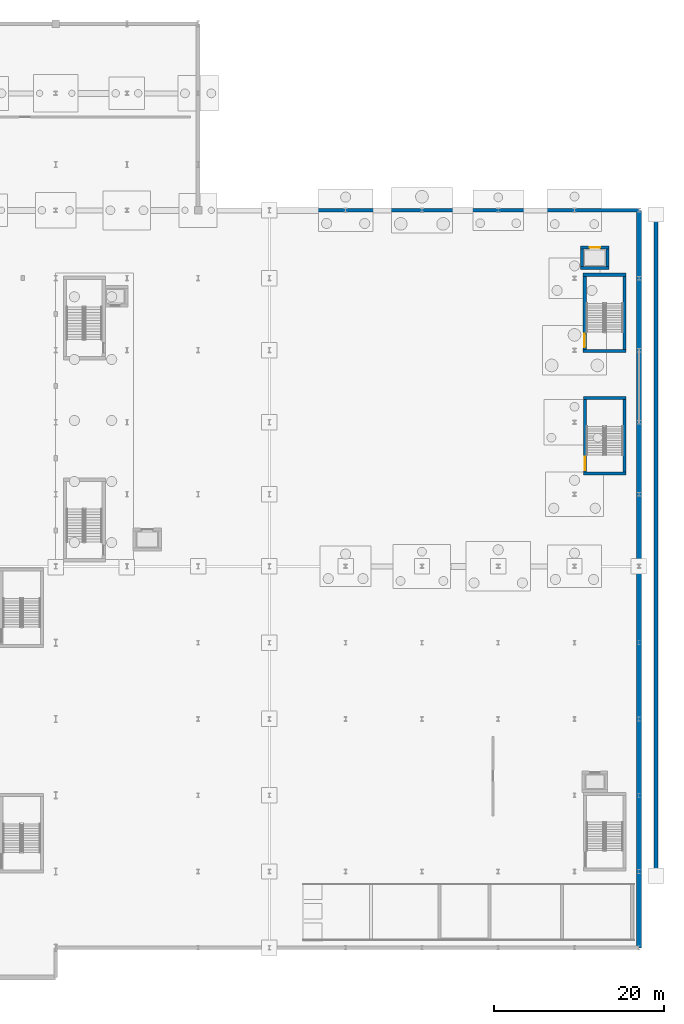
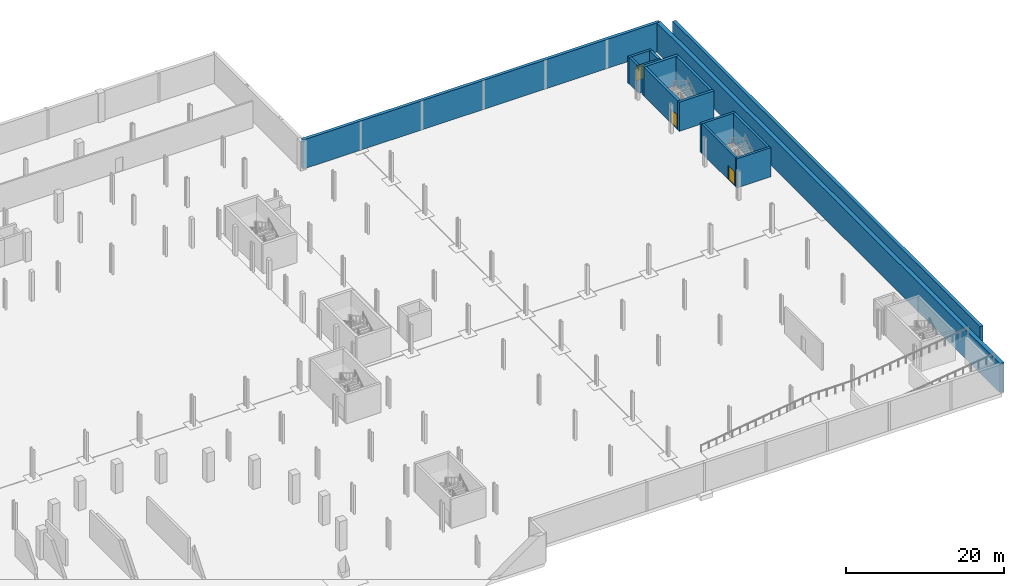
# One storey, part 32 of 45: 15 walls, 3 doors, 3 openings.
"""IFC4 building model written with IfcOpenShell, lengths in metres."""

from ifc_helpers import new_model, si_unit, direction, frame, frame_2d, origin, place, context, subcontext, project, spatial, rectangle, extrude, material, layer, layer_set, type_object, element, fill, save


model = new_model("IFC4")

# Units and contexts
model_context = context("Model", 3, precision=1e-05, world=origin(), true_north=direction((0.0, 1.0)))
body_context = subcontext(model_context, "Body", "Model", "MODEL_VIEW")
ifc_project = project(units=[si_unit("LENGTHUNIT", "METRE"), si_unit("AREAUNIT", "SQUARE_METRE"), si_unit("VOLUMEUNIT", "CUBIC_METRE"), si_unit("PLANEANGLEUNIT", "RADIAN"), si_unit("MASSUNIT", "GRAM", prefix="KILO")], contexts=[model_context])

# Site, building, storey
site_placement = place(None, origin())
site = spatial("IfcSite", under=ifc_project, at=site_placement, CompositionType="ELEMENT")
building_placement = place(site_placement, origin())
building = spatial("IfcBuilding", under=site, at=building_placement, Name="Sefraquen Railside Congress Hotel", CompositionType="ELEMENT")
storey_placement = place(building_placement, frame((0.0, 0.0, -4.5)))
storey = spatial("IfcBuildingStorey", under=building, at=storey_placement, Name="B01", CompositionType="ELEMENT", Elevation=-4.5)

# Walls
ifc_material_1 = material(Name="Concrete C50/60", Category="concrete")
ifc_layer_1 = layer(ifc_material_1, 0.35009765625)
ifc_layer_set_1 = layer_set([ifc_layer_1], Name="Concrete C50/60")
wall_type_1 = type_object("IfcWallType", Name="TW-CW-350", PredefinedType="SHEAR", material=ifc_layer_set_1)
for number, where, z_axis, x_axis, name in (
    (1, (165.449951171875, 73.85498046875, 0.0), (0.0, 0.0, 1.0), (1.0, 0.0, 0.0), "Core shear wall ST-B02 N B01"),
    (2, (165.449951171875, 64.925048828125, 0.0), (0.0, 0.0, 1.0), (1.0, 0.0, 0.0), "Core shear wall ST-B02 S B01"),
):
    element("IfcWall", number, at=place(storey_placement, frame(where, z_axis=z_axis, x_axis=x_axis)), inside=storey, type_object=wall_type_1, Name=name, PredefinedType="SHEAR", context=body_context, shape_type="SweptSolid", body=[
        extrude(rectangle(XDim=5.0, YDim=0.35009765625, at=frame_2d((2.5, 0.0))), origin(), (0.0, 0.0, 1.0), 4.5),
    ])

# Wall, opening, door
wall_1_placement = place(storey_placement, frame((165.625, 65.10009765625, 0.0), z_axis=(0.0, 0.0, 1.0), x_axis=(0.0, 1.0, 0.0)))
wall_1 = element("IfcWall", 3, at=wall_1_placement, inside=storey, type_object=wall_type_1, Name="Core shear wall ST-B02 W B01", PredefinedType="SHEAR", context=body_context, shape_type="SweptSolid", body=[
    extrude(rectangle(XDim=8.579833984375, YDim=0.35009765625, at=frame_2d((4.2900390625, 0.0))), origin(), (0.0, 0.0, 1.0), 4.5),
])
opening_1_placement = place(wall_1_placement, frame((0.22509765625, 0.0, 0.0)))
opening_1 = element("IfcOpeningElement", 4, at=opening_1_placement, cuts=wall_1, Name="Opening FD-02", PredefinedType="OPENING", context=body_context, shape_type="SweptSolid", body=[
    extrude(rectangle(XDim=1.60009765625, YDim=2.199951171875, at=frame_2d((0.800048828125, 1.10009765625))), frame((0.0, 0.18505859375, 0.0), z_axis=(0.0, -1.0, 0.0), x_axis=(1.0, 0.0, 0.0)), (0.0, 0.0, 1.0), 0.3701171875),
])
ifc_material_2 = material(Name="Fire-rated steel", Category="steel")
door_type_1 = type_object("IfcDoorType", Name="TD-FD-02", OperationType="NOTDEFINED", PredefinedType="DOOR", material=ifc_material_2)
door_1_placement = place(opening_1_placement, origin())
door_1 = element("IfcDoor", 5, at=door_1_placement, inside=storey, type_object=door_type_1, Name="Pressurized stair ST-B02 fire door B01", OperationType="SINGLE_SWING_LEFT", OverallHeight=2.199951171875, OverallWidth=1.60009765625, PredefinedType="DOOR", context=body_context, shape_type="SweptSolid", body=[
    extrude(rectangle(XDim=1.60009765625, YDim=2.199951171875, at=frame_2d((0.800048828125, 1.10009765625))), frame((0.0, 0.02490234375, 0.0), z_axis=(0.0, -1.0, 0.0), x_axis=(1.0, 0.0, 0.0)), (0.0, 0.0, 1.0), 0.050048828125),
])
fill(opening_1, door_1)

# Wall
wall_2_placement = place(storey_placement, frame((170.27490234375, 65.10009765625, 0.0), z_axis=(0.0, 0.0, 1.0), x_axis=(0.0, 1.0, 0.0)))
element("IfcWall", 6, at=wall_2_placement, inside=storey, type_object=wall_type_1, Name="Core shear wall ST-B02 E B01", PredefinedType="SHEAR", context=body_context, shape_type="SweptSolid", body=[
    extrude(rectangle(XDim=8.579833984375, YDim=0.35009765625, at=frame_2d((4.2900390625, 0.0))), origin(), (0.0, 0.0, 1.0), 4.5),
])

# Wall, opening, door
wall_3_placement = place(storey_placement, frame((165.1298828125, 91.594970703125, 0.0), z_axis=(0.0, 0.0, 1.0), x_axis=(1.0, 0.0, 0.0)))
wall_3 = element("IfcWall", 7, at=wall_3_placement, inside=storey, type_object=wall_type_1, Name="Lift SL-02 shaft wall N B01", PredefinedType="SHEAR", context=body_context, shape_type="SweptSolid", body=[
    extrude(rectangle(XDim=3.340087890625, YDim=0.35009765625, at=frame_2d((1.669921875, 0.0))), origin(), (0.0, 0.0, 1.0), 4.10009765625),
])
opening_2_placement = place(wall_3_placement, frame((1.044921875, 0.0, 0.0)))
opening_2 = element("IfcOpeningElement", 8, at=opening_2_placement, cuts=wall_3, Name="Opening LD-02", PredefinedType="OPENING", context=body_context, shape_type="SweptSolid", body=[
    extrude(rectangle(XDim=1.25, YDim=2.25, at=frame_2d((0.625, 1.125))), frame((0.0, 0.18505859375, 0.0), z_axis=(0.0, -1.0, 0.0), x_axis=(1.0, 0.0, 0.0)), (0.0, 0.0, 1.0), 0.3701171875),
])
ifc_material_3 = material(Name="Brushed stainless steel", Category="steel")
door_type_2 = type_object("IfcDoorType", Name="TD-LD-02", OperationType="NOTDEFINED", PredefinedType="DOOR", material=ifc_material_3)
door_2_placement = place(opening_2_placement, origin())
door_2 = element("IfcDoor", 9, at=door_2_placement, inside=storey, type_object=door_type_2, Name="Lift landing door SL-02 B01", OperationType="SLIDING_TO_LEFT", OverallHeight=2.25, OverallWidth=1.25, PredefinedType="DOOR", context=body_context, shape_type="SweptSolid", body=[
    extrude(rectangle(XDim=1.25, YDim=2.25, at=frame_2d((0.625, 1.125))), frame((0.0, 0.02490234375, 0.0), z_axis=(0.0, -1.0, 0.0), x_axis=(1.0, 0.0, 0.0)), (0.0, 0.0, 1.0), 0.050048828125),
])
fill(opening_2, door_2)

# Walls
wall_4_placement = place(storey_placement, frame((165.1298828125, 89.205078125, 0.0), z_axis=(0.0, 0.0, 1.0), x_axis=(1.0, 0.0, 0.0)))
element("IfcWall", 10, at=wall_4_placement, inside=storey, type_object=wall_type_1, Name="Lift SL-02 shaft wall S B01", PredefinedType="SHEAR", context=body_context, shape_type="SweptSolid", body=[
    extrude(rectangle(XDim=3.340087890625, YDim=0.35009765625, at=frame_2d((1.669921875, 0.0))), origin(), (0.0, 0.0, 1.0), 4.10009765625),
])
for number, where, z_axis, x_axis, name in (
    (11, (165.304931640625, 89.3798828125, 0.0), (0.0, 0.0, 1.0), (0.0, 1.0, 0.0), "Lift SL-02 shaft wall W B01"),
    (12, (168.294921875, 89.3798828125, 0.0), (0.0, 0.0, 1.0), (0.0, 1.0, 0.0), "Lift SL-02 shaft wall E B01"),
):
    element("IfcWall", number, at=place(storey_placement, frame(where, z_axis=z_axis, x_axis=x_axis)), inside=storey, type_object=wall_type_1, Name=name, PredefinedType="SHEAR", context=body_context, shape_type="SweptSolid", body=[
        extrude(rectangle(XDim=2.0400390625, YDim=0.35009765625, at=frame_2d((1.02001953125, 0.0))), origin(), (0.0, 0.0, 1.0), 4.10009765625),
    ])
ifc_layer_2 = layer(ifc_material_1, 0.39990234375)
ifc_layer_set_2 = layer_set([ifc_layer_2], Name="Concrete C50/60")
wall_type_2 = type_object("IfcWallType", Name="TW-CW-400", PredefinedType="SHEAR", material=ifc_layer_set_2)
for number, where, z_axis, x_axis, name in (
    (13, (165.39990234375, 88.3798828125, 0.0), (0.0, 0.0, 1.0), (1.0, 0.0, 0.0), "Core shear wall ST-B01 N B01"),
    (14, (165.39990234375, 79.39990234375, 0.0), (0.0, 0.0, 1.0), (1.0, 0.0, 0.0), "Core shear wall ST-B01 S B01"),
):
    element("IfcWall", number, at=place(storey_placement, frame(where, z_axis=z_axis, x_axis=x_axis)), inside=storey, type_object=wall_type_2, Name=name, PredefinedType="SHEAR", context=body_context, shape_type="SweptSolid", body=[
        extrude(rectangle(XDim=5.10009765625, YDim=0.39990234375, at=frame_2d((2.550048828125, 0.0))), origin(), (0.0, 0.0, 1.0), 4.5),
    ])

# Wall, opening, door
wall_5_placement = place(storey_placement, frame((165.60009765625, 79.60009765625, 0.0), z_axis=(0.0, 0.0, 1.0), x_axis=(0.0, 1.0, 0.0)))
wall_5 = element("IfcWall", 15, at=wall_5_placement, inside=storey, type_object=wall_type_2, Name="Core shear wall ST-B01 W B01", PredefinedType="SHEAR", context=body_context, shape_type="SweptSolid", body=[
    extrude(rectangle(XDim=8.579833984375, YDim=0.39990234375, at=frame_2d((4.2900390625, 0.0))), origin(), (0.0, 0.0, 1.0), 4.5),
])
opening_3_placement = place(wall_5_placement, frame((0.22509765625, 0.0, 0.0)))
opening_3 = element("IfcOpeningElement", 16, at=opening_3_placement, cuts=wall_5, Name="Opening FD-02", PredefinedType="OPENING", context=body_context, shape_type="SweptSolid", body=[
    extrude(rectangle(XDim=1.60009765625, YDim=2.199951171875, at=frame_2d((0.800048828125, 1.10009765625))), frame((0.0, 0.2099609375, 0.0), z_axis=(0.0, -1.0, 0.0), x_axis=(1.0, 0.0, 0.0)), (0.0, 0.0, 1.0), 0.419921875),
])
door_3_placement = place(opening_3_placement, origin())
door_3 = element("IfcDoor", 17, at=door_3_placement, inside=storey, type_object=door_type_1, Name="Pressurized stair ST-B01 fire door B01", OperationType="SINGLE_SWING_LEFT", OverallHeight=2.199951171875, OverallWidth=1.60009765625, PredefinedType="DOOR", context=body_context, shape_type="SweptSolid", body=[
    extrude(rectangle(XDim=1.60009765625, YDim=2.199951171875, at=frame_2d((0.800048828125, 1.10009765625))), frame((0.0, 0.02490234375, 0.0), z_axis=(0.0, -1.0, 0.0), x_axis=(1.0, 0.0, 0.0)), (0.0, 0.0, 1.0), 0.050048828125),
])
fill(opening_3, door_3)

# Walls
wall_6_placement = place(storey_placement, frame((170.300048828125, 79.60009765625, 0.0), z_axis=(0.0, 0.0, 1.0), x_axis=(0.0, 1.0, 0.0)))
element("IfcWall", 18, at=wall_6_placement, inside=storey, type_object=wall_type_2, Name="Core shear wall ST-B01 E B01", PredefinedType="SHEAR", context=body_context, shape_type="SweptSolid", body=[
    extrude(rectangle(XDim=8.579833984375, YDim=0.39990234375, at=frame_2d((4.2900390625, 0.0))), origin(), (0.0, 0.0, 1.0), 4.5),
])
ifc_material_4 = material(Name="Concrete C40/50", Category="concrete")
ifc_layer_3 = layer(ifc_material_4, 0.449951171875)
ifc_layer_set_3 = layer_set([ifc_layer_3], Name="Concrete C40/50")
wall_type_3 = type_object("IfcWallType", Name="TW-RW-450", PredefinedType="SOLIDWALL", material=ifc_layer_set_3)
wall_7_placement = place(storey_placement, frame((172.0, 96.0, 0.0), z_axis=(0.0, 0.0, 1.0), x_axis=(-1.0, 0.0, 0.0)))
element("IfcWall", 19, at=wall_7_placement, inside=storey, type_object=wall_type_3, Name="Basement retaining wall W-B01-RW-07", PredefinedType="SOLIDWALL", context=body_context, shape_type="SweptSolid", body=[
    extrude(rectangle(XDim=52.0, YDim=0.449951171875, at=frame_2d((26.0, 0.0))), origin(), (0.0, 0.0, 1.0), 4.5),
])
wall_8_placement = place(storey_placement, frame((174.0, 17.60009765625, 0.0), z_axis=(0.0, 0.0, 1.0), x_axis=(0.0, 1.0, 0.0)))
element("IfcWall", 20, at=wall_8_placement, inside=storey, type_object=wall_type_3, Name="East walkway perimeter frost wall", PredefinedType="SOLIDWALL", context=body_context, shape_type="SweptSolid", body=[
    extrude(rectangle(XDim=77.7998046875, YDim=0.449951171875, at=frame_2d((38.89990234375, 0.0))), origin(), (0.0, 0.0, 1.0), 4.280029296875),
])
ifc_layer_4 = layer(ifc_material_4, 0.60009765625)
ifc_layer_set_4 = layer_set([ifc_layer_4], Name="Concrete C40/50")
wall_type_4 = type_object("IfcWallType", Name="TW-RW-600", PredefinedType="SOLIDWALL", material=ifc_layer_set_4)
wall_9_placement = place(storey_placement, frame((172.0, 9.0, 0.0), z_axis=(0.0, 0.0, 1.0), x_axis=(0.0, 1.0, 0.0)))
element("IfcWall", 21, at=wall_9_placement, inside=storey, type_object=wall_type_4, Name="Basement retaining wall W-B01-RW-06", PredefinedType="SOLIDWALL", context=body_context, shape_type="SweptSolid", body=[
    extrude(rectangle(XDim=87.0, YDim=0.60009765625, at=frame_2d((43.5, 0.0))), origin(), (0.0, 0.0, 1.0), 4.5),
])

save(model, "model.ifc")
